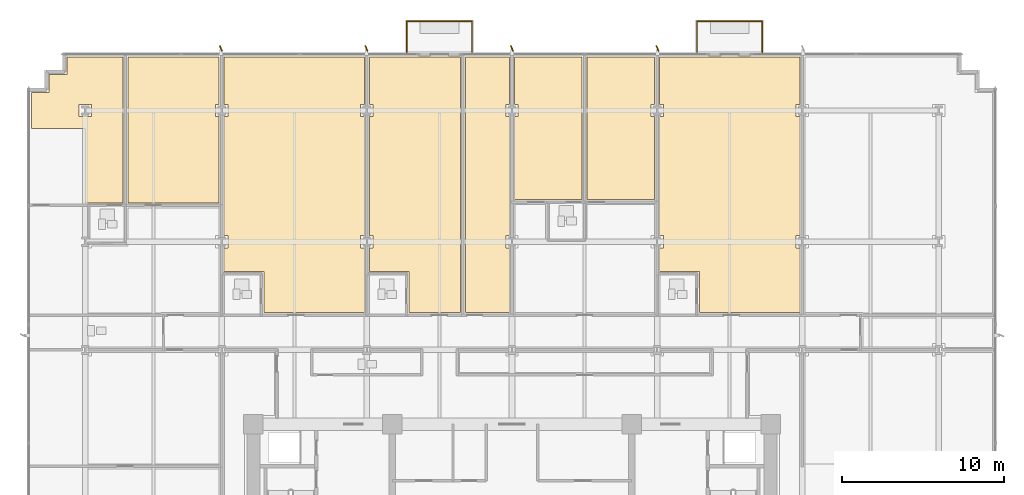
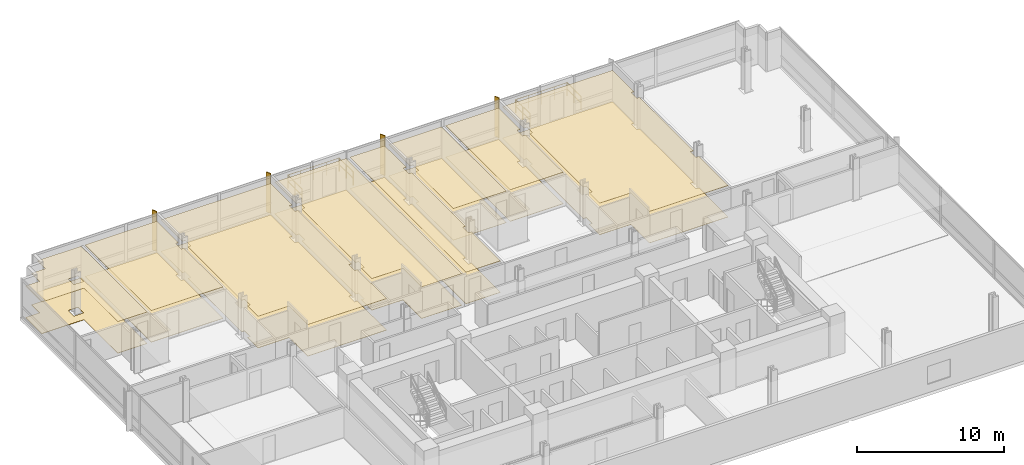
# One storey, part 14 of 16: 16 coverings, 6 railings, 4 shading devices.
"""IFC4 building model written with IfcOpenShell, lengths in metres."""

from ifc_helpers import new_model, si_unit, direction, frame, origin, origin_2d, place, context, subcontext, project, spatial, polyline, rectangle, circle, outline, extrude, material, layer, layer_set, type_object, element, save


model = new_model("IFC4")

# Units and contexts
model_context = context("Model", 3, precision=1e-05, world=origin(), true_north=direction((0.0, 1.0)))
body_context = subcontext(model_context, "Body", "Model", "MODEL_VIEW")
ifc_project = project(units=[si_unit("LENGTHUNIT", "METRE"), si_unit("AREAUNIT", "SQUARE_METRE"), si_unit("VOLUMEUNIT", "CUBIC_METRE"), si_unit("PLANEANGLEUNIT", "RADIAN"), si_unit("MASSUNIT", "GRAM", prefix="KILO")], contexts=[model_context])

# Site, building, storey
site_placement = place(None, origin())
site = spatial("IfcSite", under=ifc_project, at=site_placement, CompositionType="ELEMENT")
building_placement = place(site_placement, origin())
building = spatial("IfcBuilding", under=site, at=building_placement, Name="Solmavex Isthmus Hotel", CompositionType="ELEMENT")
storey_placement = place(building_placement, frame((0.0, 0.0, 36.75)))
storey = spatial("IfcBuildingStorey", under=building, at=storey_placement, Name="L09", CompositionType="ELEMENT", Elevation=36.75)

# Coverings
ifc_material_1 = material(Name="Gypsum plasterboard lining", Category="gypsum")
ifc_layer_1 = layer(ifc_material_1, 0.030029296875)
ifc_layer_set_1 = layer_set([ifc_layer_1], Name="Gypsum plasterboard lining")
covering_type_1 = type_object("IfcCoveringType", Name="COV-CEIL-GYP", PredefinedType="CEILING", material=ifc_layer_set_1)
covering_1_placement = place(storey_placement, frame((0.0, 0.0, 2.6201171875)))
element("IfcCovering", 1, at=covering_1_placement, inside=storey, type_object=covering_type_1, Name="Suspended Acoustic Ceiling L09-HB01", PredefinedType="CEILING", context=body_context, shape_type="SweptSolid", body=[
    extrude(outline(polyline([(-28.625, 18.02490234375), (-29.72509765625, 18.02490234375), (-29.72509765625, 15.800048828125), (-26.39990234375, 15.800048828125), (-26.39990234375, 11.193115234375), (-24.071044921875, 11.193115234375), (-24.071044921875, 20.22509765625), (-27.52490234375, 20.22509765625), (-27.52490234375, 19.125), (-28.625, 19.125), (-28.625, 18.02490234375)]), holes=[polyline([(-26.780029296875, 17.280029296875), (-26.02001953125, 17.280029296875), (-26.02001953125, 16.52001953125), (-26.780029296875, 16.52001953125), (-26.780029296875, 17.280029296875)])]), origin(), (0.0, 0.0, 1.0), 0.02978515625),
])
covering_2_placement = place(storey_placement, frame((0.0, 0.0, 2.6201171875)))
element("IfcCovering", 2, at=covering_2_placement, inside=storey, type_object=covering_type_1, Name="Suspended Acoustic Ceiling L09-HP01", PredefinedType="CEILING", context=body_context, shape_type="SweptSolid", body=[
    extrude(outline(polyline([(-18.10693359375, 16.52001953125), (-18.33203125, 16.52001953125), (-18.33203125, 17.280029296875), (-18.10693359375, 17.280029296875), (-18.10693359375, 20.22509765625), (-23.760986328125, 20.22509765625), (-23.760986328125, 11.193115234375), (-18.10693359375, 11.193115234375), (-18.10693359375, 16.52001953125)])), origin(), (0.0, 0.0, 1.0), 0.02978515625),
])
covering_3_placement = place(storey_placement, frame((0.0, 0.0, 2.6201171875)))
element("IfcCovering", 3, at=covering_3_placement, inside=storey, type_object=covering_type_1, Name="Suspended Acoustic Ceiling L09-RM02", PredefinedType="CEILING", context=body_context, shape_type="SweptSolid", body=[
    extrude(outline(polyline([(-17.797119140625, 9.16796875), (-17.572021484375, 9.16796875), (-17.572021484375, 8.407958984375), (-17.797119140625, 8.407958984375), (-17.797119140625, 6.955078125), (-15.346923828125, 6.955078125), (-15.346923828125, 4.405029296875), (-9.131103515625, 4.405029296875), (-9.131103515625, 8.407958984375), (-9.35595703125, 8.407958984375), (-9.35595703125, 9.16796875), (-9.131103515625, 9.16796875), (-9.131103515625, 16.52001953125), (-9.35595703125, 16.52001953125), (-9.35595703125, 17.280029296875), (-9.131103515625, 17.280029296875), (-9.131103515625, 20.22509765625), (-17.797119140625, 20.22509765625), (-17.797119140625, 17.280029296875), (-17.572021484375, 17.280029296875), (-17.572021484375, 16.52001953125), (-17.797119140625, 16.52001953125), (-17.797119140625, 9.16796875)])), origin(), (0.0, 0.0, 1.0), 0.02978515625),
])
covering_4_placement = place(storey_placement, frame((0.0, 0.0, 2.6201171875)))
element("IfcCovering", 4, at=covering_4_placement, inside=storey, type_object=covering_type_1, Name="Suspended Acoustic Ceiling L09-RM03", PredefinedType="CEILING", context=body_context, shape_type="SweptSolid", body=[
    extrude(outline(polyline([(-8.821044921875, 9.16796875), (-8.595947265625, 9.16796875), (-8.595947265625, 8.407958984375), (-8.821044921875, 8.407958984375), (-8.821044921875, 6.955078125), (-6.37109375, 6.955078125), (-6.37109375, 4.405029296875), (-3.193115234375, 4.405029296875), (-3.193115234375, 20.22509765625), (-8.821044921875, 20.22509765625), (-8.821044921875, 17.280029296875), (-8.595947265625, 17.280029296875), (-8.595947265625, 16.52001953125), (-8.821044921875, 16.52001953125), (-8.821044921875, 9.16796875)])), origin(), (0.0, 0.0, 1.0), 0.02978515625),
])
covering_5_placement = place(storey_placement, frame((0.0, 0.0, 2.6201171875)))
element("IfcCovering", 5, at=covering_5_placement, inside=storey, type_object=covering_type_1, Name="Suspended Acoustic Ceiling L09-RM04", PredefinedType="CEILING", context=body_context, shape_type="SweptSolid", body=[
    extrude(outline(polyline([(-0.155029296875, 16.52001953125), (-0.3798828125, 16.52001953125), (-0.3798828125, 17.280029296875), (-0.155029296875, 17.280029296875), (-0.155029296875, 20.22509765625), (-2.883056640625, 20.22509765625), (-2.883056640625, 4.405029296875), (-0.155029296875, 4.405029296875), (-0.155029296875, 8.407958984375), (-0.3798828125, 8.407958984375), (-0.3798828125, 9.16796875), (-0.155029296875, 9.16796875), (-0.155029296875, 16.52001953125)])), origin(), (0.0, 0.0, 1.0), 0.02978515625),
])
covering_6_placement = place(storey_placement, frame((0.0, 0.0, 2.6201171875)))
element("IfcCovering", 6, at=covering_6_placement, inside=storey, type_object=covering_type_1, Name="Suspended Acoustic Ceiling L09-TB05", PredefinedType="CEILING", context=body_context, shape_type="SweptSolid", body=[
    extrude(outline(polyline([(0.155029296875, 17.280029296875), (0.3798828125, 17.280029296875), (0.3798828125, 16.52001953125), (0.155029296875, 16.52001953125), (0.155029296875, 11.39306640625), (4.3330078125, 11.39306640625), (4.3330078125, 20.22509765625), (0.155029296875, 20.22509765625), (0.155029296875, 17.280029296875)])), origin(), (0.0, 0.0, 1.0), 0.02978515625),
])
covering_7_placement = place(storey_placement, frame((0.0, 0.0, 2.6201171875)))
element("IfcCovering", 7, at=covering_7_placement, inside=storey, type_object=covering_type_1, Name="Suspended Acoustic Ceiling L09-TL05", PredefinedType="CEILING", context=body_context, shape_type="SweptSolid", body=[
    extrude(outline(polyline([(8.821044921875, 16.52001953125), (8.595947265625, 16.52001953125), (8.595947265625, 17.280029296875), (8.821044921875, 17.280029296875), (8.821044921875, 20.22509765625), (4.64306640625, 20.22509765625), (4.64306640625, 11.39306640625), (8.821044921875, 11.39306640625), (8.821044921875, 16.52001953125)])), origin(), (0.0, 0.0, 1.0), 0.02978515625),
])
covering_8_placement = place(storey_placement, frame((0.0, 0.0, 2.6201171875)))
element("IfcCovering", 8, at=covering_8_placement, inside=storey, type_object=covering_type_1, Name="Suspended Acoustic Ceiling L09-RM06", PredefinedType="CEILING", context=body_context, shape_type="SweptSolid", body=[
    extrude(outline(polyline([(9.131103515625, 9.16796875), (9.35595703125, 9.16796875), (9.35595703125, 8.407958984375), (9.131103515625, 8.407958984375), (9.131103515625, 6.955078125), (11.5810546875, 6.955078125), (11.5810546875, 4.405029296875), (17.797119140625, 4.405029296875), (17.797119140625, 8.407958984375), (17.572021484375, 8.407958984375), (17.572021484375, 9.16796875), (17.797119140625, 9.16796875), (17.797119140625, 16.52001953125), (17.572021484375, 16.52001953125), (17.572021484375, 17.280029296875), (17.797119140625, 17.280029296875), (17.797119140625, 20.22509765625), (9.131103515625, 20.22509765625), (9.131103515625, 17.280029296875), (9.35595703125, 17.280029296875), (9.35595703125, 16.52001953125), (9.131103515625, 16.52001953125), (9.131103515625, 9.16796875)])), origin(), (0.0, 0.0, 1.0), 0.02978515625),
])
ifc_material_2 = material(Name="Travertine natural stone", Category="masonry")
ifc_layer_2 = layer(ifc_material_2, 0.02490234375)
ifc_layer_set_2 = layer_set([ifc_layer_2], Name="Travertine natural stone")
covering_type_2 = type_object("IfcCoveringType", Name="COV-FLOR-STN", PredefinedType="FLOORING", material=ifc_layer_set_2)
covering_9_placement = place(storey_placement, origin())
element("IfcCovering", 9, at=covering_9_placement, inside=storey, type_object=covering_type_2, Name="Stone and Timber Floor Finish L09-HB01", PredefinedType="FLOORING", context=body_context, shape_type="SweptSolid", body=[
    extrude(outline(polyline([(-28.625, 18.02490234375), (-29.72509765625, 18.02490234375), (-29.72509765625, 15.800048828125), (-26.39990234375, 15.800048828125), (-26.39990234375, 11.193115234375), (-24.071044921875, 11.193115234375), (-24.071044921875, 20.22509765625), (-27.52490234375, 20.22509765625), (-27.52490234375, 19.125), (-28.625, 19.125), (-28.625, 18.02490234375)]), holes=[polyline([(-26.780029296875, 17.280029296875), (-26.02001953125, 17.280029296875), (-26.02001953125, 16.52001953125), (-26.780029296875, 16.52001953125), (-26.780029296875, 17.280029296875)])]), origin(), (0.0, 0.0, 1.0), 0.02490234375),
])
covering_10_placement = place(storey_placement, origin())
element("IfcCovering", 10, at=covering_10_placement, inside=storey, type_object=covering_type_2, Name="Stone and Timber Floor Finish L09-HP01", PredefinedType="FLOORING", context=body_context, shape_type="SweptSolid", body=[
    extrude(outline(polyline([(-18.10693359375, 16.52001953125), (-18.33203125, 16.52001953125), (-18.33203125, 17.280029296875), (-18.10693359375, 17.280029296875), (-18.10693359375, 20.22509765625), (-23.760986328125, 20.22509765625), (-23.760986328125, 11.193115234375), (-18.10693359375, 11.193115234375), (-18.10693359375, 16.52001953125)])), origin(), (0.0, 0.0, 1.0), 0.02490234375),
])
covering_11_placement = place(storey_placement, origin())
element("IfcCovering", 11, at=covering_11_placement, inside=storey, type_object=covering_type_2, Name="Stone and Timber Floor Finish L09-RM02", PredefinedType="FLOORING", context=body_context, shape_type="SweptSolid", body=[
    extrude(outline(polyline([(-17.797119140625, 9.16796875), (-17.572021484375, 9.16796875), (-17.572021484375, 8.407958984375), (-17.797119140625, 8.407958984375), (-17.797119140625, 6.955078125), (-15.346923828125, 6.955078125), (-15.346923828125, 4.405029296875), (-9.131103515625, 4.405029296875), (-9.131103515625, 8.407958984375), (-9.35595703125, 8.407958984375), (-9.35595703125, 9.16796875), (-9.131103515625, 9.16796875), (-9.131103515625, 16.52001953125), (-9.35595703125, 16.52001953125), (-9.35595703125, 17.280029296875), (-9.131103515625, 17.280029296875), (-9.131103515625, 20.22509765625), (-17.797119140625, 20.22509765625), (-17.797119140625, 17.280029296875), (-17.572021484375, 17.280029296875), (-17.572021484375, 16.52001953125), (-17.797119140625, 16.52001953125), (-17.797119140625, 9.16796875)])), origin(), (0.0, 0.0, 1.0), 0.02490234375),
])
covering_12_placement = place(storey_placement, origin())
element("IfcCovering", 12, at=covering_12_placement, inside=storey, type_object=covering_type_2, Name="Stone and Timber Floor Finish L09-RM03", PredefinedType="FLOORING", context=body_context, shape_type="SweptSolid", body=[
    extrude(outline(polyline([(-8.821044921875, 9.16796875), (-8.595947265625, 9.16796875), (-8.595947265625, 8.407958984375), (-8.821044921875, 8.407958984375), (-8.821044921875, 6.955078125), (-6.37109375, 6.955078125), (-6.37109375, 4.405029296875), (-3.193115234375, 4.405029296875), (-3.193115234375, 20.22509765625), (-8.821044921875, 20.22509765625), (-8.821044921875, 17.280029296875), (-8.595947265625, 17.280029296875), (-8.595947265625, 16.52001953125), (-8.821044921875, 16.52001953125), (-8.821044921875, 9.16796875)])), origin(), (0.0, 0.0, 1.0), 0.02490234375),
])
covering_13_placement = place(storey_placement, origin())
element("IfcCovering", 13, at=covering_13_placement, inside=storey, type_object=covering_type_2, Name="Stone and Timber Floor Finish L09-RM04", PredefinedType="FLOORING", context=body_context, shape_type="SweptSolid", body=[
    extrude(outline(polyline([(-0.155029296875, 16.52001953125), (-0.3798828125, 16.52001953125), (-0.3798828125, 17.280029296875), (-0.155029296875, 17.280029296875), (-0.155029296875, 20.22509765625), (-2.883056640625, 20.22509765625), (-2.883056640625, 4.405029296875), (-0.155029296875, 4.405029296875), (-0.155029296875, 8.407958984375), (-0.3798828125, 8.407958984375), (-0.3798828125, 9.16796875), (-0.155029296875, 9.16796875), (-0.155029296875, 16.52001953125)])), origin(), (0.0, 0.0, 1.0), 0.02490234375),
])
covering_14_placement = place(storey_placement, origin())
element("IfcCovering", 14, at=covering_14_placement, inside=storey, type_object=covering_type_2, Name="Stone and Timber Floor Finish L09-TB05", PredefinedType="FLOORING", context=body_context, shape_type="SweptSolid", body=[
    extrude(outline(polyline([(0.155029296875, 17.280029296875), (0.3798828125, 17.280029296875), (0.3798828125, 16.52001953125), (0.155029296875, 16.52001953125), (0.155029296875, 11.39306640625), (4.3330078125, 11.39306640625), (4.3330078125, 20.22509765625), (0.155029296875, 20.22509765625), (0.155029296875, 17.280029296875)])), origin(), (0.0, 0.0, 1.0), 0.02490234375),
])
covering_15_placement = place(storey_placement, origin())
element("IfcCovering", 15, at=covering_15_placement, inside=storey, type_object=covering_type_2, Name="Stone and Timber Floor Finish L09-TL05", PredefinedType="FLOORING", context=body_context, shape_type="SweptSolid", body=[
    extrude(outline(polyline([(8.821044921875, 16.52001953125), (8.595947265625, 16.52001953125), (8.595947265625, 17.280029296875), (8.821044921875, 17.280029296875), (8.821044921875, 20.22509765625), (4.64306640625, 20.22509765625), (4.64306640625, 11.39306640625), (8.821044921875, 11.39306640625), (8.821044921875, 16.52001953125)])), origin(), (0.0, 0.0, 1.0), 0.02490234375),
])
covering_16_placement = place(storey_placement, origin())
element("IfcCovering", 16, at=covering_16_placement, inside=storey, type_object=covering_type_2, Name="Stone and Timber Floor Finish L09-RM06", PredefinedType="FLOORING", context=body_context, shape_type="SweptSolid", body=[
    extrude(outline(polyline([(9.131103515625, 9.16796875), (9.35595703125, 9.16796875), (9.35595703125, 8.407958984375), (9.131103515625, 8.407958984375), (9.131103515625, 6.955078125), (11.5810546875, 6.955078125), (11.5810546875, 4.405029296875), (17.797119140625, 4.405029296875), (17.797119140625, 8.407958984375), (17.572021484375, 8.407958984375), (17.572021484375, 9.16796875), (17.797119140625, 9.16796875), (17.797119140625, 16.52001953125), (17.572021484375, 16.52001953125), (17.572021484375, 17.280029296875), (17.797119140625, 17.280029296875), (17.797119140625, 20.22509765625), (9.131103515625, 20.22509765625), (9.131103515625, 17.280029296875), (9.35595703125, 17.280029296875), (9.35595703125, 16.52001953125), (9.131103515625, 16.52001953125), (9.131103515625, 9.16796875)])), origin(), (0.0, 0.0, 1.0), 0.02490234375),
])

# Railings
ifc_material_3 = material(Name="Clear low-E laminated glass", Category="glass")
ifc_layer_3 = layer(ifc_material_3, 0.070068359375)
ifc_layer_set_3 = layer_set([ifc_layer_3], Name="Clear low-E laminated glass")
railing_type = type_object("IfcRailingType", Name="RAIL-GUARD-1100", PredefinedType="BALUSTRADE", material=ifc_layer_set_3)
railing_1_placement = place(storey_placement, frame((-6.508056640625, 20.5, 0.0)))
element("IfcRailing", 17, at=railing_1_placement, inside=storey, type_object=railing_type, Name="Guardrail Balustrade L09-BAL1-01", PredefinedType="BALUSTRADE", context=body_context, shape_type="SweptSolid", body=[
    extrude(circle(Radius=0.02392578125, at=origin_2d()), frame((0.0, 0.0, 1.09619140625), z_axis=(0.0, 1.0, 0.0), x_axis=(-1.0, 0.0, 0.0)), (0.0, 0.0, 1.0), 1.919921875),
    extrude(circle(Radius=0.02392578125, at=origin_2d()), frame((0.0, 0.0, 0.56005859375), z_axis=(0.0, 1.0, 0.0), x_axis=(-1.0, 0.0, 0.0)), (0.0, 0.0, 1.0), 1.919921875),
    extrude(circle(Radius=0.02099609375, at=origin_2d()), origin(), (0.0, 0.0, 1.0), 1.072021484375),
    extrude(circle(Radius=0.02099609375, at=origin_2d()), frame((0.0, 0.9599609375, 0.0)), (0.0, 0.0, 1.0), 1.072021484375),
    extrude(circle(Radius=0.02099609375, at=origin_2d()), frame((0.0, 1.919921875, 0.0)), (0.0, 0.0, 1.0), 1.072021484375),
])
railing_2_placement = place(storey_placement, frame((-6.508056640625, 22.419921875, 0.0)))
element("IfcRailing", 18, at=railing_2_placement, inside=storey, type_object=railing_type, Name="Guardrail Balustrade L09-BAL1-02", PredefinedType="BALUSTRADE", context=body_context, shape_type="SweptSolid", body=[
    extrude(circle(Radius=0.02392578125, at=origin_2d()), frame((0.0, 0.0, 1.09619140625), z_axis=(1.0, 0.0, 0.0), x_axis=(0.0, 1.0, 0.0)), (0.0, 0.0, 1.0), 4.0400390625),
    extrude(circle(Radius=0.02392578125, at=origin_2d()), frame((0.0, 0.0, 0.56005859375), z_axis=(1.0, 0.0, 0.0), x_axis=(0.0, 1.0, 0.0)), (0.0, 0.0, 1.0), 4.0400390625),
    extrude(circle(Radius=0.02099609375, at=origin_2d()), origin(), (0.0, 0.0, 1.0), 1.072021484375),
    extrude(circle(Radius=0.02099609375, at=origin_2d()), frame((1.010009765625, 0.0, 0.0)), (0.0, 0.0, 1.0), 1.072021484375),
    extrude(circle(Radius=0.02099609375, at=origin_2d()), frame((2.02001953125, 0.0, 0.0)), (0.0, 0.0, 1.0), 1.072021484375),
    extrude(circle(Radius=0.02099609375, at=origin_2d()), frame((3.030029296875, 0.0, 0.0)), (0.0, 0.0, 1.0), 1.072021484375),
    extrude(circle(Radius=0.02099609375, at=origin_2d()), frame((4.0400390625, 0.0, 0.0)), (0.0, 0.0, 1.0), 1.072021484375),
])
railing_3_placement = place(storey_placement, frame((-2.468017578125, 22.419921875, 0.0)))
element("IfcRailing", 19, at=railing_3_placement, inside=storey, type_object=railing_type, Name="Guardrail Balustrade L09-BAL1-03", PredefinedType="BALUSTRADE", context=body_context, shape_type="SweptSolid", body=[
    extrude(circle(Radius=0.02392578125, at=origin_2d()), frame((0.0, 0.0, 1.09619140625), z_axis=(0.0, -1.0, 0.0), x_axis=(1.0, 0.0, 0.0)), (0.0, 0.0, 1.0), 1.919921875),
    extrude(circle(Radius=0.02392578125, at=origin_2d()), frame((0.0, 0.0, 0.56005859375), z_axis=(0.0, -1.0, 0.0), x_axis=(1.0, 0.0, 0.0)), (0.0, 0.0, 1.0), 1.919921875),
    extrude(circle(Radius=0.02099609375, at=origin_2d()), origin(), (0.0, 0.0, 1.0), 1.072021484375),
    extrude(circle(Radius=0.02099609375, at=origin_2d()), frame((0.0, -0.9599609375, 0.0)), (0.0, 0.0, 1.0), 1.072021484375),
    extrude(circle(Radius=0.02099609375, at=origin_2d()), frame((0.0, -1.919921875, 0.0)), (0.0, 0.0, 1.0), 1.072021484375),
])
railing_4_placement = place(storey_placement, frame((11.444091796875, 20.5, 0.0)))
element("IfcRailing", 20, at=railing_4_placement, inside=storey, type_object=railing_type, Name="Guardrail Balustrade L09-BAL2-01", PredefinedType="BALUSTRADE", context=body_context, shape_type="SweptSolid", body=[
    extrude(circle(Radius=0.02392578125, at=origin_2d()), frame((0.0, 0.0, 1.09619140625), z_axis=(0.0, 1.0, 0.0), x_axis=(-1.0, 0.0, 0.0)), (0.0, 0.0, 1.0), 1.919921875),
    extrude(circle(Radius=0.02392578125, at=origin_2d()), frame((0.0, 0.0, 0.56005859375), z_axis=(0.0, 1.0, 0.0), x_axis=(-1.0, 0.0, 0.0)), (0.0, 0.0, 1.0), 1.919921875),
    extrude(circle(Radius=0.02099609375, at=origin_2d()), origin(), (0.0, 0.0, 1.0), 1.072021484375),
    extrude(circle(Radius=0.02099609375, at=origin_2d()), frame((0.0, 0.9599609375, 0.0)), (0.0, 0.0, 1.0), 1.072021484375),
    extrude(circle(Radius=0.02099609375, at=origin_2d()), frame((0.0, 1.919921875, 0.0)), (0.0, 0.0, 1.0), 1.072021484375),
])
railing_5_placement = place(storey_placement, frame((11.444091796875, 22.419921875, 0.0)))
element("IfcRailing", 21, at=railing_5_placement, inside=storey, type_object=railing_type, Name="Guardrail Balustrade L09-BAL2-02", PredefinedType="BALUSTRADE", context=body_context, shape_type="SweptSolid", body=[
    extrude(circle(Radius=0.02392578125, at=origin_2d()), frame((0.0, 0.0, 1.09619140625), z_axis=(1.0, 0.0, 0.0), x_axis=(0.0, 1.0, 0.0)), (0.0, 0.0, 1.0), 4.039794921875),
    extrude(circle(Radius=0.02392578125, at=origin_2d()), frame((0.0, 0.0, 0.56005859375), z_axis=(1.0, 0.0, 0.0), x_axis=(0.0, 1.0, 0.0)), (0.0, 0.0, 1.0), 4.039794921875),
    extrude(circle(Radius=0.02099609375, at=origin_2d()), origin(), (0.0, 0.0, 1.0), 1.072021484375),
    extrude(circle(Radius=0.02099609375, at=origin_2d()), frame((1.010009765625, 0.0, 0.0)), (0.0, 0.0, 1.0), 1.072021484375),
    extrude(circle(Radius=0.02099609375, at=origin_2d()), frame((2.02001953125, 0.0, 0.0)), (0.0, 0.0, 1.0), 1.072021484375),
    extrude(circle(Radius=0.02099609375, at=origin_2d()), frame((3.02978515625, 0.0, 0.0)), (0.0, 0.0, 1.0), 1.072021484375),
    extrude(circle(Radius=0.02099609375, at=origin_2d()), frame((4.039794921875, 0.0, 0.0)), (0.0, 0.0, 1.0), 1.072021484375),
])
railing_6_placement = place(storey_placement, frame((15.48388671875, 22.419921875, 0.0)))
element("IfcRailing", 22, at=railing_6_placement, inside=storey, type_object=railing_type, Name="Guardrail Balustrade L09-BAL2-03", PredefinedType="BALUSTRADE", context=body_context, shape_type="SweptSolid", body=[
    extrude(circle(Radius=0.02392578125, at=origin_2d()), frame((0.0, 0.0, 1.09619140625), z_axis=(0.0, -1.0, 0.0), x_axis=(1.0, 0.0, 0.0)), (0.0, 0.0, 1.0), 1.919921875),
    extrude(circle(Radius=0.02392578125, at=origin_2d()), frame((0.0, 0.0, 0.56005859375), z_axis=(0.0, -1.0, 0.0), x_axis=(1.0, 0.0, 0.0)), (0.0, 0.0, 1.0), 1.919921875),
    extrude(circle(Radius=0.02099609375, at=origin_2d()), origin(), (0.0, 0.0, 1.0), 1.072021484375),
    extrude(circle(Radius=0.02099609375, at=origin_2d()), frame((0.0, -0.9599609375, 0.0)), (0.0, 0.0, 1.0), 1.072021484375),
    extrude(circle(Radius=0.02099609375, at=origin_2d()), frame((0.0, -1.919921875, 0.0)), (0.0, 0.0, 1.0), 1.072021484375),
])

# Shading devices
ifc_material_4 = material(Name="Aluminium alloy 6063-T6", Category="aluminium")
shading_device_type = type_object("IfcShadingDeviceType", Name="SHD-FIN-CHAMP", PredefinedType="USERDEFINED", material=ifc_material_4)
for number, where, z_axis, x_axis, name in (
    (23, (-18.0, 20.739990234375, -0.14013671875), (0.0, 0.0, 1.0), (-0.438371146789, 0.898794046299, 0.0), "Anodised Aluminium Solar Fin L09-N1"),
    (24, (-9.0, 20.739990234375, -0.14013671875), (0.0, 0.0, 1.0), (-0.438371146789, 0.898794046299, 0.0), "Anodised Aluminium Solar Fin L09-N2"),
    (25, (0.0, 20.739990234375, -0.14013671875), (0.0, 0.0, 1.0), (-0.438371146789, 0.898794046299, 0.0), "Anodised Aluminium Solar Fin L09-N3"),
    (26, (9.0, 20.739990234375, -0.14013671875), (0.0, 0.0, 1.0), (-0.438371146789, 0.898794046299, 0.0), "Anodised Aluminium Solar Fin L09-N4"),
):
    element("IfcShadingDevice", number, at=place(storey_placement, frame(where, z_axis=z_axis, x_axis=x_axis)), inside=storey, type_object=shading_device_type, Name=name, ObjectType="SOLAR_FIN", PredefinedType="USERDEFINED", context=body_context, shape_type="SweptSolid", body=[
        extrude(rectangle(XDim=0.3798828125, YDim=0.070068359375, at=origin_2d()), origin(), (0.0, 0.0, 1.0), 3.330078125),
    ])

save(model, "model.ifc")
